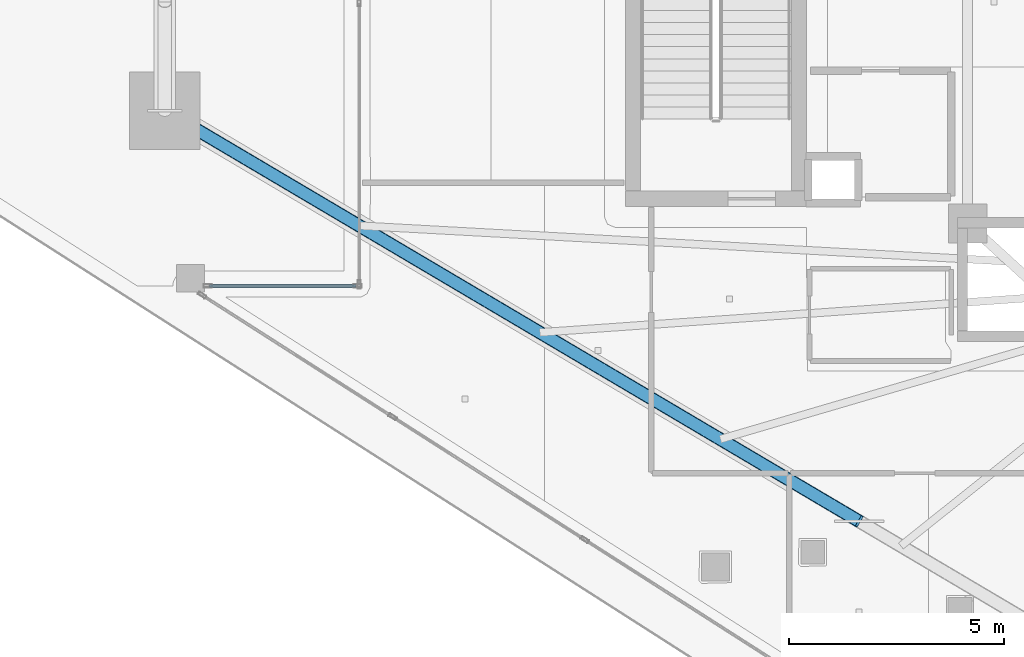
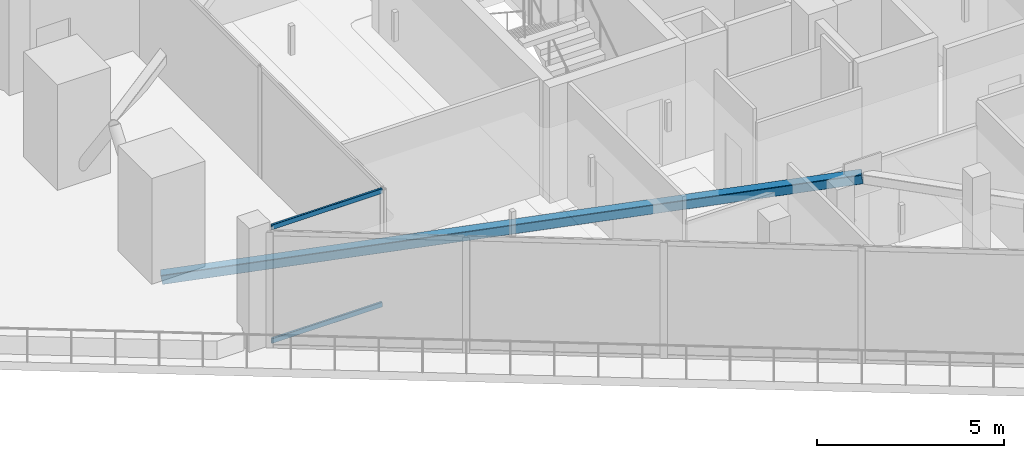
# One storey, part 8 of 40: 3 members, 1 element without a shape of its own.
"""IFC4 building model written with IfcOpenShell, lengths in metres."""

from ifc_helpers import new_model, si_unit, direction, frame, origin, origin_2d, place, context, subcontext, project, spatial, hollow_rectangle, extrude, material, layer, layer_set, material_profile, profile_set, type_object, element, aggregate, save


model = new_model("IFC4")

# Units and contexts
model_context = context("Model", 3, precision=1e-05, world=origin(), true_north=direction((0.0, 1.0)))
body_context = subcontext(model_context, "Body", "Model", "MODEL_VIEW")
ifc_project = project(units=[si_unit("LENGTHUNIT", "METRE"), si_unit("AREAUNIT", "SQUARE_METRE"), si_unit("VOLUMEUNIT", "CUBIC_METRE"), si_unit("PLANEANGLEUNIT", "RADIAN"), si_unit("MASSUNIT", "GRAM", prefix="KILO")], contexts=[model_context])

# Site, building, storey
site_placement = place(None, origin())
site = spatial("IfcSite", under=ifc_project, at=site_placement, CompositionType="ELEMENT")
building_placement = place(site_placement, origin())
building = spatial("IfcBuilding", under=site, at=building_placement, Name="Qorvath Tower", CompositionType="ELEMENT")
storey_placement = place(building_placement, frame((0.0, 0.0, 225.300048828125)))
storey = spatial("IfcBuildingStorey", under=building, at=storey_placement, Name="L52", CompositionType="ELEMENT", Elevation=225.300048828125)

# Curtain wall, members
ifc_material_1 = material(Name="Anodised aluminium and triple low-E glass", Category="aluminium")
ifc_layer = layer(ifc_material_1, 0.179931640625)
ifc_layer_set = layer_set([ifc_layer], Name="CW-SYS-5")
curtain_wall_type = type_object("IfcCurtainWallType", Name="CW-SYS-5", PredefinedType="NOTDEFINED", material=ifc_layer_set)
curtain_wall_placement = place(storey_placement, origin())
curtain_wall = element("IfcCurtainWall", 1, at=curtain_wall_placement, inside=storey, type_object=curtain_wall_type, Name="Curtain Wall CW-5 CW-T-L52-3.1", PredefinedType="NOTDEFINED")
ifc_material_2 = material(Name="Anodised aluminium 6063-T6", Category="aluminium")
ifc_material_profile_1 = material_profile(ifc_material_2, hollow_rectangle(XDim=0.06494140625, YDim=0.159912109375, WallThickness=0.00341796875, InnerFilletRadius=0.00341796875, OuterFilletRadius=0.007080078125, at=origin_2d()), Name="CWT 160x65")
ifc_profile_set_1 = profile_set([ifc_material_profile_1], Name="Anodised aluminium 6063-T6")
member_type_1 = type_object("IfcMemberType", Name="CWT-160", PredefinedType="USERDEFINED", material=ifc_profile_set_1)
member_1_placement = place(storey_placement, frame((-44.722900390625, -6.6044921875, 0.032470703125), z_axis=(-1.0, 0.0, 0.0), x_axis=(0.0, -1.0, 0.0)))
member_1 = element("IfcMember", 2, at=member_1_placement, type_object=member_type_1, Name="CW-5 transom 1.1", ObjectType="TRANSOM", PredefinedType="USERDEFINED", context=body_context, shape_type="SweptSolid", body=[
    extrude(hollow_rectangle(XDim=0.06494140625, YDim=0.159912109375, WallThickness=0.00341796875, InnerFilletRadius=0.00341796875, OuterFilletRadius=0.007080078125, at=origin_2d()), origin(), (0.0, 0.0, 1.0), 3.41064453125),
])
member_2_placement = place(storey_placement, frame((-44.722900390625, -6.6044921875, 3.74755859375), z_axis=(-1.0, 0.0, 0.0), x_axis=(0.0, -1.0, 0.0)))
member_2 = element("IfcMember", 3, at=member_2_placement, type_object=member_type_1, Name="CW-5 transom 1.2", ObjectType="TRANSOM", PredefinedType="USERDEFINED", context=body_context, shape_type="SweptSolid", body=[
    extrude(hollow_rectangle(XDim=0.06494140625, YDim=0.159912109375, WallThickness=0.00341796875, InnerFilletRadius=0.00341796875, OuterFilletRadius=0.007080078125, at=origin_2d()), origin(), (0.0, 0.0, 1.0), 3.41064453125),
])
aggregate(curtain_wall, [member_1, member_2])

# Member
ifc_material_3 = material(Name="Steel ASTM A500 Grade C", Category="steel")
ifc_material_profile_2 = material_profile(ifc_material_3, hollow_rectangle(XDim=0.3046875, YDim=0.3046875, WallThickness=0.0126953125, InnerFilletRadius=0.0126953125, OuterFilletRadius=0.025390625, at=origin_2d()), Name="HSS 305x305x12.7")
ifc_profile_set_2 = profile_set([ifc_material_profile_2], Name="Steel ASTM A500 Grade C")
member_type_2 = type_object("IfcMemberType", Name="MEM-MB3", PredefinedType="BRACE", material=ifc_profile_set_2)
member_3_placement = place(storey_placement, frame((-49.171875, -2.52783203125, 0.0), z_axis=(0.846746895049, -0.500680334384, 0.179830193475), x_axis=(0.508977860581, 0.860779610259, 0.0)))
element("IfcMember", 4, at=member_3_placement, inside=storey, type_object=member_type_2, Name="Perimeter Chevron Brace L52-2A", PredefinedType="BRACE", context=body_context, shape_type="SweptSolid", body=[
    extrude(hollow_rectangle(XDim=0.3046875, YDim=0.3046875, WallThickness=0.0126953125, InnerFilletRadius=0.0126953125, OuterFilletRadius=0.025390625, at=origin_2d()), origin(), (0.0, 0.0, 1.0), 19.0732421875),
])

save(model, "model.ifc")
